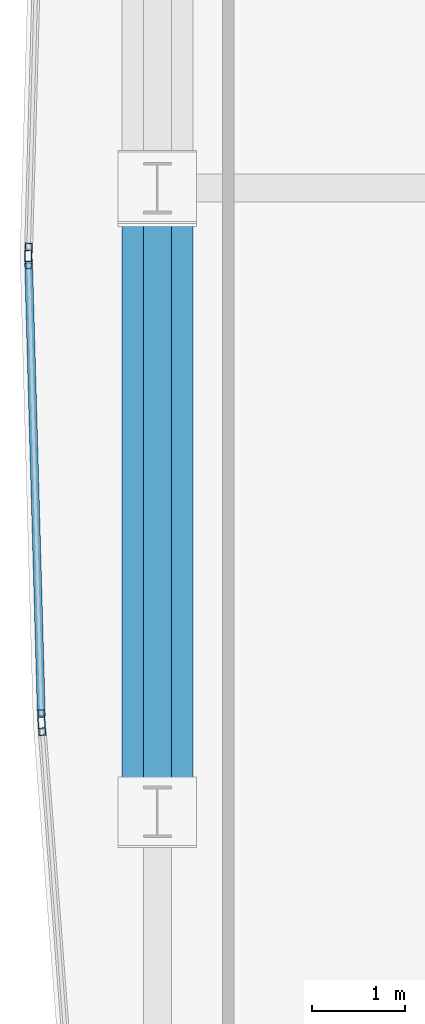
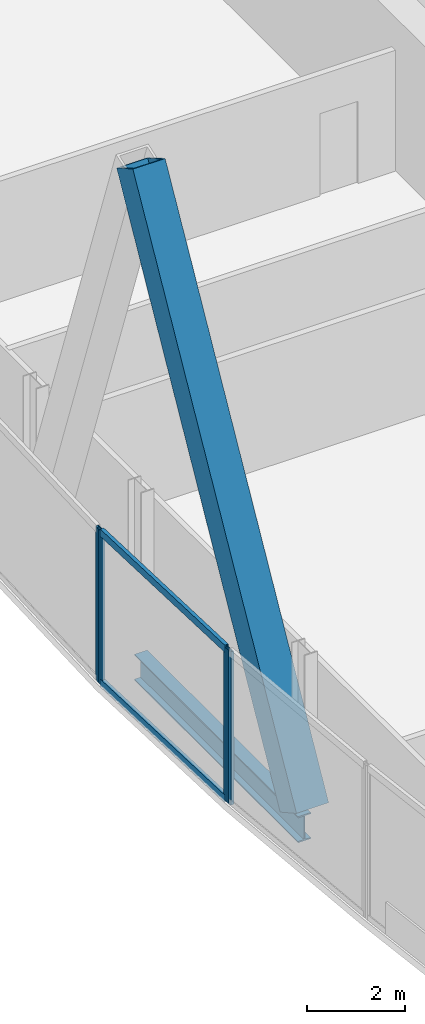
# One storey, part 10 of 32: 7 members, 1 beam, 3 elements without a shape of their own.
"""IFC4 building model written with IfcOpenShell, lengths in metres."""

from ifc_helpers import new_model, si_unit, direction, frame, origin, origin_2d, place, context, subcontext, project, spatial, hollow_rectangle, i_section, extrude, material, material_profile, profile_set, type_object, element, aggregate, save


model = new_model("IFC4")

# Units and contexts
model_context = context("Model", 3, precision=1e-05, world=origin(), true_north=direction((0.0, 1.0)))
body_context = subcontext(model_context, "Body", "Model", "MODEL_VIEW")
ifc_project = project(units=[si_unit("LENGTHUNIT", "METRE"), si_unit("AREAUNIT", "SQUARE_METRE"), si_unit("VOLUMEUNIT", "CUBIC_METRE"), si_unit("PLANEANGLEUNIT", "RADIAN"), si_unit("MASSUNIT", "GRAM", prefix="KILO")], contexts=[model_context])

# Site, building, storey
site_placement = place(None, origin())
site = spatial("IfcSite", under=ifc_project, at=site_placement, CompositionType="ELEMENT")
building_placement = place(site_placement, origin())
building = spatial("IfcBuilding", under=site, at=building_placement, Name="Khoronbel Lancet Exchange", CompositionType="ELEMENT")
storey_placement = place(building_placement, frame((0.0, 0.0, 94.60009765625)))
storey = spatial("IfcBuildingStorey", under=building, at=storey_placement, Name="L22", CompositionType="ELEMENT", Elevation=94.60009765625)

# Beam
ifc_material_1 = material(Name="Steel S355", Category="steel")
ifc_material_profile_1 = material_profile(ifc_material_1, i_section(OverallWidth=0.300048828125, OverallDepth=0.64990234375, WebThickness=0.01611328125, FlangeThickness=0.031005859375, at=origin_2d()), Name="HEB 650")
ifc_profile_set_1 = profile_set([ifc_material_profile_1], Name="Steel S355")
beam_type = type_object("IfcBeamType", Name="BM-BSP1", PredefinedType="SPANDREL", material=ifc_profile_set_1)
beam_placement = place(storey_placement, frame((3.27001953125, 31.425048828125, -0.505126953125), z_axis=(0.0, -1.0, 0.0), x_axis=(1.0, 0.0, 0.0)))
element("IfcBeam", 1, at=beam_placement, inside=storey, type_object=beam_type, Name="Level L22 perimeter spandrel beam SP19", PredefinedType="SPANDREL", context=body_context, shape_type="SweptSolid", body=[
    extrude(i_section(OverallWidth=0.300048828125, OverallDepth=0.64990234375, WebThickness=0.01611328125, FlangeThickness=0.031005859375, at=origin_2d()), origin(), (0.0, 0.0, 1.0), 6.675048828125),
])

# Curtain wall, member
ifc_material_2 = material(Name="Low-E Solar Control Insulating Glass", Category="glass")
curtain_wall_type = type_object("IfcCurtainWallType", Name="CW-4", PredefinedType="NOTDEFINED", material=ifc_material_2)
curtain_wall_1_placement = place(storey_placement, origin())
curtain_wall_1 = element("IfcCurtainWall", 2, at=curtain_wall_1_placement, inside=storey, type_object=curtain_wall_type, Name="Unitised curtain wall CW-L22-E05", PredefinedType="NOTDEFINED")
ifc_material_3 = material(Name="Bronze-Anodised Aluminium 6063-T6", Category="aluminium")
ifc_material_profile_2 = material_profile(ifc_material_3, hollow_rectangle(XDim=0.074951171875, YDim=0.199951171875, WallThickness=0.0048828125, at=origin_2d()), Name="ALU MULLION 75x200")
ifc_profile_set_2 = profile_set([ifc_material_profile_2], Name="Bronze-Anodised Aluminium 6063-T6")
member_type_1 = type_object("IfcMemberType", Name="MEM-CWM2", PredefinedType="MULLION", material=ifc_profile_set_2)
member_1_placement = place(storey_placement, frame((2.033447265625, 25.667236328125, 0.0), z_axis=(0.0, 0.0, 1.0), x_axis=(-0.997059882555, -0.076626304874, 0.0)))
member_1 = element("IfcMember", 3, at=member_1_placement, type_object=member_type_1, Name="CW4 mullion 2", PredefinedType="MULLION", context=body_context, shape_type="SweptSolid", body=[
    extrude(hollow_rectangle(XDim=0.074951171875, YDim=0.199951171875, WallThickness=0.0048828125, at=origin_2d()), origin(), (0.0, 0.0, 1.0), 3.81982421875),
])
aggregate(curtain_wall_1, [member_1])

# Curtain wall, members
curtain_wall_2_placement = place(storey_placement, origin())
curtain_wall_2 = element("IfcCurtainWall", 4, at=curtain_wall_2_placement, inside=storey, type_object=curtain_wall_type, Name="Unitised curtain wall CW-L22-E06", PredefinedType="NOTDEFINED")
member_2_placement = place(storey_placement, frame((2.029541015625, 25.7421875, 0.0), z_axis=(0.0, 0.0, 1.0), x_axis=(-0.999604123662, -0.028135315146, 0.0)))
member_2 = element("IfcMember", 5, at=member_2_placement, type_object=member_type_1, Name="CW4 mullion 1", PredefinedType="MULLION", context=body_context, shape_type="SweptSolid", body=[
    extrude(hollow_rectangle(XDim=0.074951171875, YDim=0.199951171875, WallThickness=0.0048828125, at=origin_2d()), origin(), (0.0, 0.0, 1.0), 3.81982421875),
])
member_3_placement = place(storey_placement, frame((1.89111328125, 30.66259765625, 0.0), z_axis=(0.0, 0.0, 1.0), x_axis=(-0.999604123662, -0.028135315146, 0.0)))
member_3 = element("IfcMember", 6, at=member_3_placement, type_object=member_type_1, Name="CW4 mullion 2", PredefinedType="MULLION", context=body_context, shape_type="SweptSolid", body=[
    extrude(hollow_rectangle(XDim=0.074951171875, YDim=0.199951171875, WallThickness=0.0048828125, at=origin_2d()), origin(), (0.0, 0.0, 1.0), 3.81982421875),
])

# Curtain wall, member
curtain_wall_3_placement = place(storey_placement, origin())
curtain_wall_3 = element("IfcCurtainWall", 7, at=curtain_wall_3_placement, inside=storey, type_object=curtain_wall_type, Name="Unitised curtain wall CW-L22-E07", PredefinedType="NOTDEFINED")
member_4_placement = place(storey_placement, frame((1.89111328125, 30.737548828125, 0.0), z_axis=(0.0, 0.0, 1.0), x_axis=(-0.999604123662, 0.028135315146, 0.0)))
member_4 = element("IfcMember", 8, at=member_4_placement, type_object=member_type_1, Name="CW4 mullion 1", PredefinedType="MULLION", context=body_context, shape_type="SweptSolid", body=[
    extrude(hollow_rectangle(XDim=0.074951171875, YDim=0.199951171875, WallThickness=0.0048828125, at=origin_2d()), origin(), (0.0, 0.0, 1.0), 3.81982421875),
])
aggregate(curtain_wall_3, [member_4])

# Member
ifc_material_profile_3 = material_profile(ifc_material_3, hollow_rectangle(XDim=0.0849609375, YDim=0.179931640625, WallThickness=0.0048828125, at=origin_2d()), Name="ALU TRANSOM 85x180")
ifc_profile_set_3 = profile_set([ifc_material_profile_3], Name="Bronze-Anodised Aluminium 6063-T6")
member_type_2 = type_object("IfcMemberType", Name="MEM-CWT1", PredefinedType="USERDEFINED", material=ifc_profile_set_3)
member_5_placement = place(storey_placement, frame((2.028564453125, 25.77978515625, 0.04248046875), z_axis=(-0.02815571823, 0.999603549179, 0.0), x_axis=(-0.999603549179, -0.02815571823, 0.0)))
member_5 = element("IfcMember", 9, at=member_5_placement, type_object=member_type_2, Name="CW4 transom 1.1", ObjectType="TRANSOM", PredefinedType="USERDEFINED", context=body_context, shape_type="SweptSolid", body=[
    extrude(hollow_rectangle(XDim=0.0849609375, YDim=0.179931640625, WallThickness=0.0048828125, at=origin_2d()), origin(), (0.0, 0.0, 1.0), 4.84716796875),
])

member_6_placement = place(storey_placement, frame((2.028564453125, 25.77978515625, 3.77734375), z_axis=(-0.02815571823, 0.999603549179, 0.0), x_axis=(-0.999603549179, -0.02815571823, 0.0)))
member_6 = element("IfcMember", 10, at=member_6_placement, type_object=member_type_2, Name="CW4 transom 1.2", ObjectType="TRANSOM", PredefinedType="USERDEFINED", context=body_context, shape_type="SweptSolid", body=[
    extrude(hollow_rectangle(XDim=0.0849609375, YDim=0.179931640625, WallThickness=0.0048828125, at=origin_2d()), origin(), (0.0, 0.0, 1.0), 4.84716796875),
])

aggregate(curtain_wall_2, [member_2, member_3, member_5, member_6])

ifc_material_4 = material(Name="Steel S460", Category="steel")
ifc_material_profile_4 = material_profile(ifc_material_4, hollow_rectangle(XDim=0.760009765625, YDim=0.760009765625, WallThickness=0.054931640625, at=origin_2d()), Name="BOX 760x760x55")
ifc_profile_set_4 = profile_set([ifc_material_profile_4], Name="Steel S460")
member_type_3 = type_object("IfcMemberType", Name="MEM-MB1", PredefinedType="BRACE", material=ifc_profile_set_4)
member_7_placement = place(storey_placement, frame((3.27001953125, 24.75, 0.0), z_axis=(0.0, 0.486109322328, 0.873898007061), x_axis=(-1.0, 0.0, 0.0)))
element("IfcMember", 11, at=member_7_placement, inside=storey, type_object=member_type_3, Name="Perimeter lancet brace tier 7 W-P-L", PredefinedType="BRACE", context=body_context, shape_type="SweptSolid", body=[
    extrude(hollow_rectangle(XDim=0.760009765625, YDim=0.760009765625, WallThickness=0.054931640625, at=origin_2d()), origin(), (0.0, 0.0, 1.0), 13.731689453125),
])

save(model, "model.ifc")
